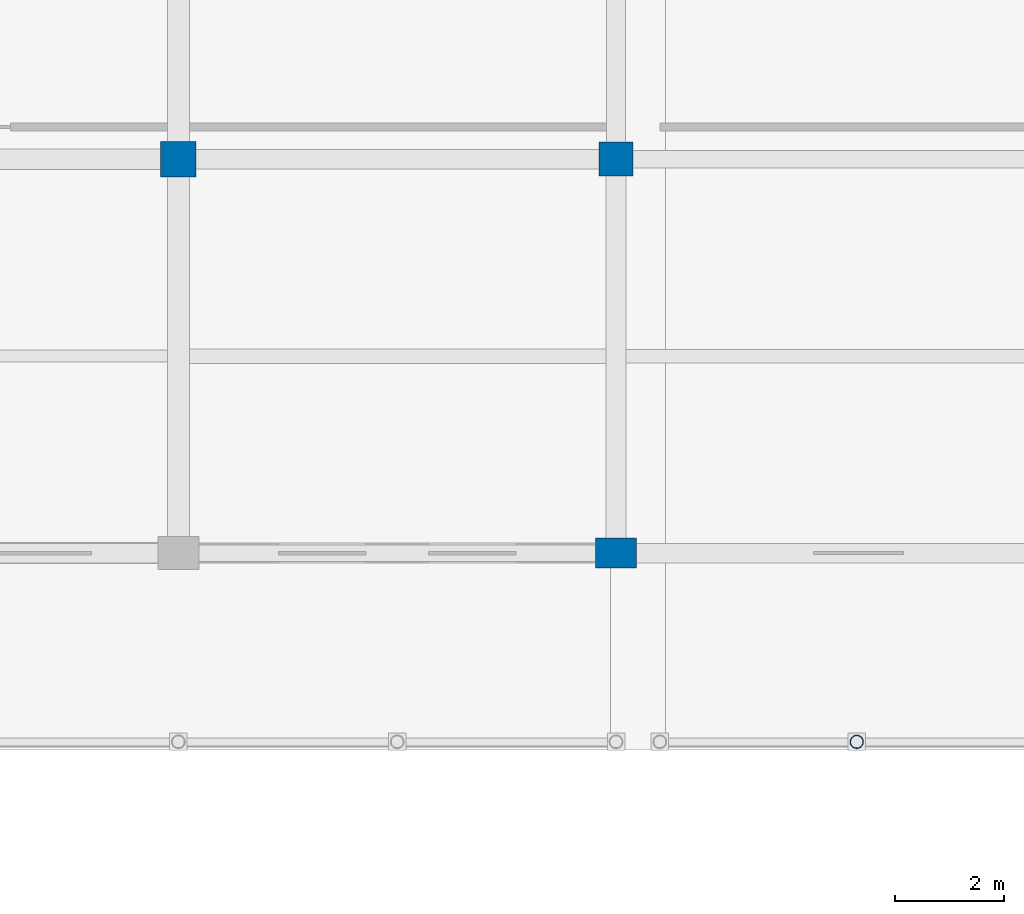
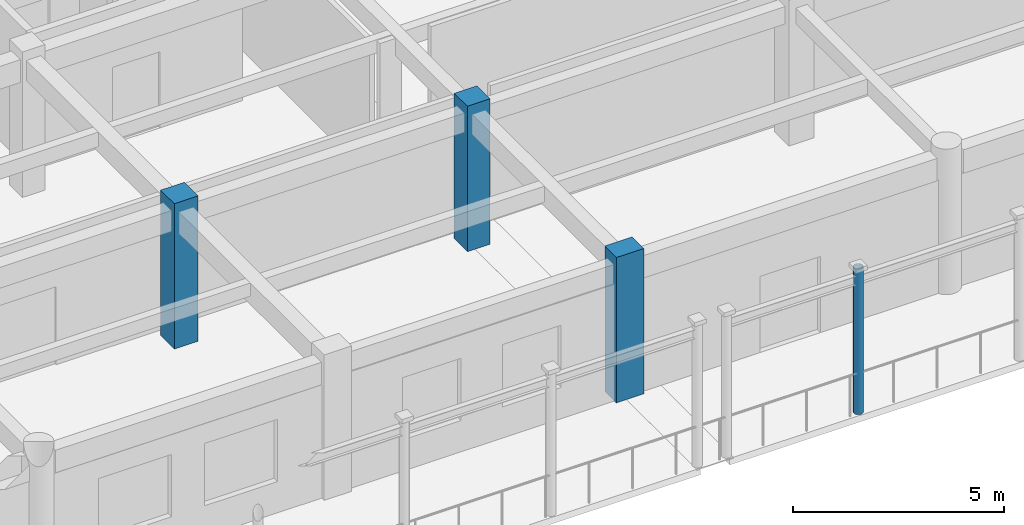
# One storey, part 21 of 195: 4 columns.
"""IFC4 building model written with IfcOpenShell, lengths in metres."""

from ifc_helpers import new_model, si_unit, direction, frame, origin, origin_2d, place, context, subcontext, project, spatial, rectangle, hollow_circle, extrude, material, material_profile, profile_set, type_object, element, save


model = new_model("IFC4")

# Units and contexts
model_context = context("Model", 3, precision=1e-05, world=origin(), true_north=direction((0.0, 1.0)))
body_context = subcontext(model_context, "Body", "Model", "MODEL_VIEW")
ifc_project = project(units=[si_unit("LENGTHUNIT", "METRE"), si_unit("AREAUNIT", "SQUARE_METRE"), si_unit("VOLUMEUNIT", "CUBIC_METRE"), si_unit("PLANEANGLEUNIT", "RADIAN"), si_unit("MASSUNIT", "GRAM", prefix="KILO")], contexts=[model_context])

# Site, building, storey
site_placement = place(None, origin())
site = spatial("IfcSite", under=ifc_project, at=site_placement, CompositionType="ELEMENT")
building_placement = place(site_placement, origin())
building = spatial("IfcBuilding", under=site, at=building_placement, Name="Kharva Crest Polytechnic", CompositionType="ELEMENT")
storey_placement = place(building_placement, frame((0.0, 0.0, 9.0)))
storey = spatial("IfcBuildingStorey", under=building, at=storey_placement, Name="L02", CompositionType="ELEMENT", Elevation=9.0)

# Columns
ifc_material_1 = material(Name="Concrete C40/50", Category="concrete")
ifc_material_profile_1 = material_profile(ifc_material_1, rectangle(XDim=0.75, YDim=0.550048828125, at=origin_2d()), Name="RECT 750 X 550")
ifc_profile_set_1 = profile_set([ifc_material_profile_1], Name="Concrete C40/50")
column_type_1 = type_object("IfcColumnType", Name="COL-EXT-750X550", PredefinedType="COLUMN", material=ifc_profile_set_1)
column_1_placement = place(storey_placement, frame((120.0, 100.39990234375, 0.0), z_axis=(0.0, 0.0, 1.0), x_axis=(1.0, 0.0, 0.0)))
element("IfcColumn", 1, at=column_1_placement, inside=storey, type_object=column_type_1, Name="L02 Column 16/P", PredefinedType="COLUMN", context=body_context, shape_type="SweptSolid", body=[
    extrude(rectangle(XDim=0.75, YDim=0.550048828125, at=origin_2d()), origin(), (0.0, 0.0, 1.0), 4.199951171875),
])
ifc_material_profile_2 = material_profile(ifc_material_1, rectangle(XDim=0.6201171875, YDim=0.6201171875, at=origin_2d()), Name="RECT 620 X 620")
ifc_profile_set_2 = profile_set([ifc_material_profile_2], Name="Concrete C40/50")
column_type_2 = type_object("IfcColumnType", Name="COL-INT-620X620", PredefinedType="COLUMN", material=ifc_profile_set_2)
column_2_placement = place(storey_placement, frame((120.0, 107.60009765625, 0.0), z_axis=(0.0, 0.0, 1.0), x_axis=(1.0, 0.0, 0.0)))
element("IfcColumn", 2, at=column_2_placement, inside=storey, type_object=column_type_2, Name="L02 Column 16/Q", PredefinedType="COLUMN", context=body_context, shape_type="SweptSolid", body=[
    extrude(rectangle(XDim=0.6201171875, YDim=0.6201171875, at=origin_2d()), origin(), (0.0, 0.0, 1.0), 4.199951171875),
])
ifc_material_profile_3 = material_profile(ifc_material_1, rectangle(XDim=0.64990234375, YDim=0.64990234375, at=origin_2d()), Name="RECT 650 X 650")
ifc_profile_set_3 = profile_set([ifc_material_profile_3], Name="Concrete C40/50")
column_type_3 = type_object("IfcColumnType", Name="COL-INT-650X650", PredefinedType="COLUMN", material=ifc_profile_set_3)
column_3_placement = place(storey_placement, frame((112.0, 107.60009765625, 0.0), z_axis=(0.0, 0.0, 1.0), x_axis=(1.0, 0.0, 0.0)))
element("IfcColumn", 3, at=column_3_placement, inside=storey, type_object=column_type_3, Name="L02 Column 15/Q", PredefinedType="COLUMN", context=body_context, shape_type="SweptSolid", body=[
    extrude(rectangle(XDim=0.64990234375, YDim=0.64990234375, at=origin_2d()), origin(), (0.0, 0.0, 1.0), 4.199951171875),
])
ifc_material_2 = material(Name="Steel S355", Category="steel")
ifc_material_profile_4 = material_profile(ifc_material_2, hollow_circle(Radius=0.122314453125, WallThickness=0.010009765625, at=origin_2d()), Name="CHS 244.5X10.0")
ifc_profile_set_4 = profile_set([ifc_material_profile_4], Name="Steel S355")
column_type_4 = type_object("IfcColumnType", Name="COL-STL-CHS244", PredefinedType="COLUMN", material=ifc_profile_set_4)
column_4_placement = place(storey_placement, frame((124.39990234375, 96.949951171875, 0.0), z_axis=(0.0, 0.0, 1.0), x_axis=(1.0, 0.0, 0.0)))
element("IfcColumn", 4, at=column_4_placement, inside=storey, type_object=column_type_4, Name="L02 Colonnade Mid Column VNM09", PredefinedType="COLUMN", context=body_context, shape_type="SweptSolid", body=[
    extrude(hollow_circle(Radius=0.122314453125, WallThickness=0.010009765625, at=origin_2d()), origin(), (0.0, 0.0, 1.0), 4.199951171875),
])

save(model, "model.ifc")
